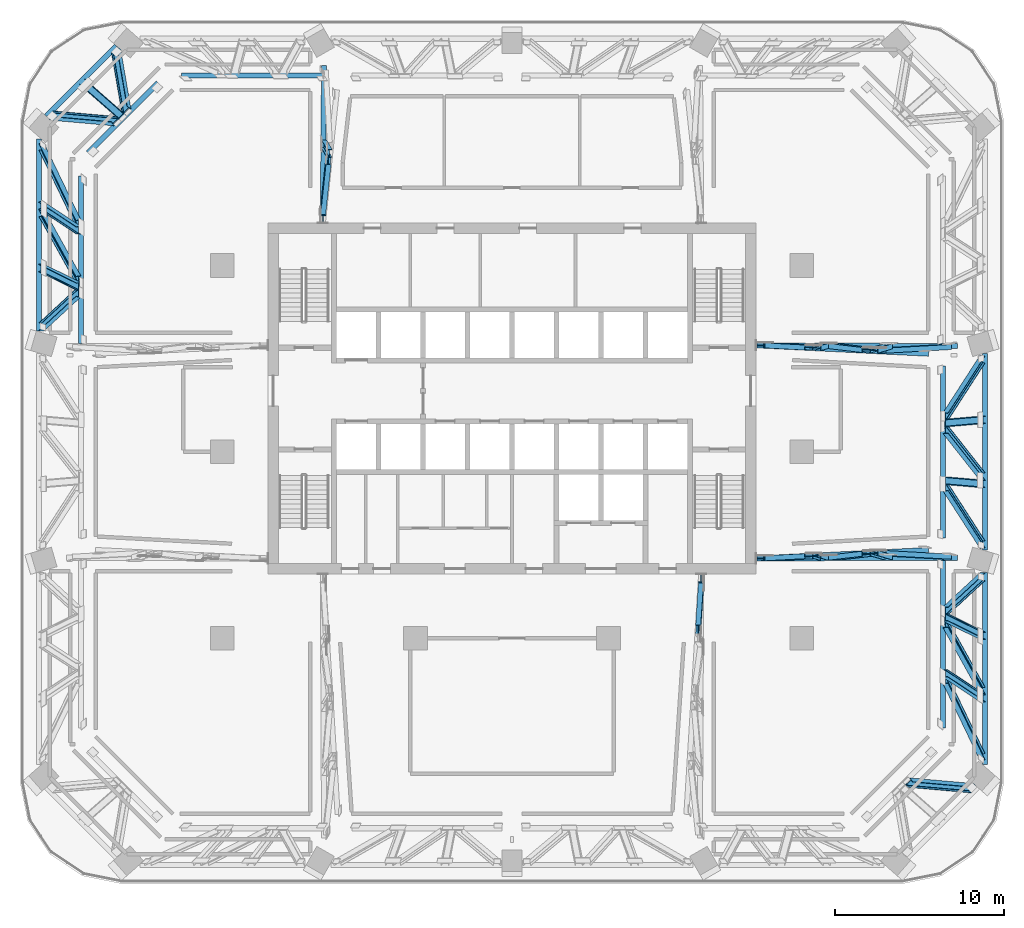
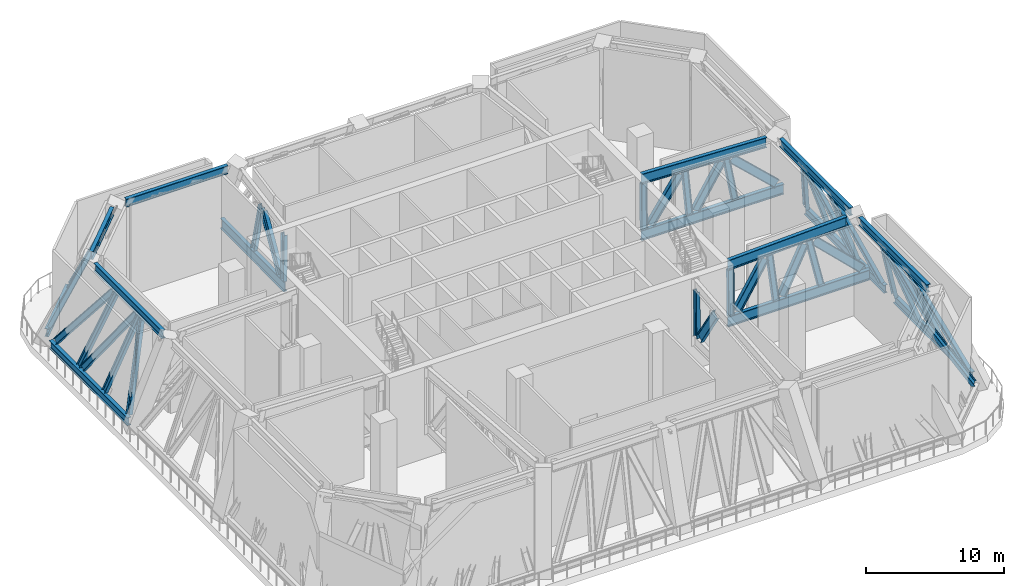
# One storey, part 3 of 24: 50 members.
"""IFC4 building model written with IfcOpenShell, lengths in metres."""

from ifc_helpers import new_model, si_unit, direction, frame, origin, origin_2d, place, context, subcontext, project, spatial, i_section, extrude, material, material_profile, profile_set, type_object, element, save


model = new_model("IFC4")

# Units and contexts
model_context = context("Model", 3, precision=1e-05, world=origin(), true_north=direction((0.0, 1.0)))
body_context = subcontext(model_context, "Body", "Model", "MODEL_VIEW")
ifc_project = project(units=[si_unit("LENGTHUNIT", "METRE"), si_unit("AREAUNIT", "SQUARE_METRE"), si_unit("VOLUMEUNIT", "CUBIC_METRE"), si_unit("PLANEANGLEUNIT", "RADIAN"), si_unit("MASSUNIT", "GRAM", prefix="KILO")], contexts=[model_context])

# Site, building, storey
site_placement = place(None, origin())
site = spatial("IfcSite", under=ifc_project, at=site_placement, CompositionType="ELEMENT")
building_placement = place(site_placement, origin())
building = spatial("IfcBuilding", under=site, at=building_placement, Name="Mopane Tessera Tower", CompositionType="ELEMENT")
storey_placement = place(building_placement, frame((0.0, 0.0, 148.60009765625)))
storey = spatial("IfcBuildingStorey", under=building, at=storey_placement, Name="L30", CompositionType="ELEMENT", Elevation=148.60009765625)

# Members
ifc_material_1 = material(Name="Structural steel S460", Category="steel")
ifc_material_profile_1 = material_profile(ifc_material_1, i_section(OverallWidth=0.303955078125, OverallDepth=0.716064453125, WebThickness=0.02099609375, FlangeThickness=0.0400390625, FilletRadius=0.027099609375, at=origin_2d()))
ifc_profile_set_1 = profile_set([ifc_material_profile_1], Name="Structural steel S460")
member_type_1 = type_object("IfcMemberType", Name="Belt truss chord HE 700 M", PredefinedType="CHORD", material=ifc_profile_set_1)
member_1_placement = place(storey_placement, frame((27.928466796875, -18.462646484375, 0.35791015625), z_axis=(0.0, 1.0, 0.0), x_axis=(-1.0, 0.0, 0.0)))
element("IfcMember", 1, at=member_1_placement, inside=storey, type_object=member_type_1, Name="Belt truss bottom chord L30 E0-E1", PredefinedType="CHORD", context=body_context, shape_type="SweptSolid", body=[
    extrude(i_section(OverallWidth=0.303955078125, OverallDepth=0.716064453125, WebThickness=0.02099609375, FlangeThickness=0.0400390625, FilletRadius=0.027099609375, at=origin_2d()), origin(), (0.0, 0.0, 1.0), 11.3291015625),
])
member_2_placement = place(storey_placement, frame((25.45703125, -16.294921875, 7.641845703125), z_axis=(0.0, 1.0, 0.0), x_axis=(-1.0, 0.0, 0.0)))
element("IfcMember", 2, at=member_2_placement, inside=storey, type_object=member_type_1, Name="Belt truss top chord L30 E0-E1", PredefinedType="CHORD", context=body_context, shape_type="SweptSolid", body=[
    extrude(i_section(OverallWidth=0.303955078125, OverallDepth=0.716064453125, WebThickness=0.02099609375, FlangeThickness=0.0400390625, FilletRadius=0.027099609375, at=origin_2d()), origin(), (0.0, 0.0, 1.0), 9.884033203125),
])
member_3_placement = place(storey_placement, frame((27.928466796875, -5.79541015625, 0.35791015625), z_axis=(0.0, 1.0, 0.0), x_axis=(-1.0, 0.0, 0.0)))
element("IfcMember", 3, at=member_3_placement, inside=storey, type_object=member_type_1, Name="Belt truss bottom chord L30 E1-E2", PredefinedType="CHORD", context=body_context, shape_type="SweptSolid", body=[
    extrude(i_section(OverallWidth=0.303955078125, OverallDepth=0.716064453125, WebThickness=0.02099609375, FlangeThickness=0.0400390625, FilletRadius=0.027099609375, at=origin_2d()), origin(), (0.0, 0.0, 1.0), 11.5908203125),
])
member_4_placement = place(storey_placement, frame((25.45703125, -5.072998046875, 7.641845703125), z_axis=(0.0, 1.0, 0.0), x_axis=(-1.0, 0.0, 0.0)))
element("IfcMember", 4, at=member_4_placement, inside=storey, type_object=member_type_1, Name="Belt truss top chord L30 E1-E2", PredefinedType="CHORD", context=body_context, shape_type="SweptSolid", body=[
    extrude(i_section(OverallWidth=0.303955078125, OverallDepth=0.716064453125, WebThickness=0.02099609375, FlangeThickness=0.0400390625, FilletRadius=0.027099609375, at=origin_2d()), origin(), (0.0, 0.0, 1.0), 10.14599609375),
])
member_5_placement = place(storey_placement, frame((-11.00537109375, 22.2255859375, 7.641845703125), z_axis=(-1.0, 0.0, 0.0), x_axis=(0.0, -1.0, 0.0)))
element("IfcMember", 5, at=member_5_placement, inside=storey, type_object=member_type_1, Name="Belt truss top chord L30 N3-N4", PredefinedType="CHORD", context=body_context, shape_type="SweptSolid", body=[
    extrude(i_section(OverallWidth=0.303955078125, OverallDepth=0.716064453125, WebThickness=0.02099609375, FlangeThickness=0.0400390625, FilletRadius=0.027099609375, at=origin_2d()), origin(), (0.0, 0.0, 1.0), 8.495361328125),
])
member_6_placement = place(storey_placement, frame((-23.3603515625, 23.961669921875, 0.35791015625), z_axis=(-0.707106781187, -0.707106781187, 0.0), x_axis=(0.707106781187, -0.707106781187, 0.0)))
element("IfcMember", 6, at=member_6_placement, inside=storey, type_object=member_type_1, Name="Belt truss bottom chord L30 N4-W0", PredefinedType="CHORD", context=body_context, shape_type="SweptSolid", body=[
    extrude(i_section(OverallWidth=0.303955078125, OverallDepth=0.716064453125, WebThickness=0.02099609375, FlangeThickness=0.0400390625, FilletRadius=0.027099609375, at=origin_2d()), origin(), (0.0, 0.0, 1.0), 5.849853515625),
])
member_7_placement = place(storey_placement, frame((-20.888916015625, 21.793701171875, 7.641845703125), z_axis=(-0.707127648719, -0.707085913038, 0.0), x_axis=(0.707085913038, -0.707127648719, 0.0)))
element("IfcMember", 7, at=member_7_placement, inside=storey, type_object=member_type_1, Name="Belt truss top chord L30 N4-W0", PredefinedType="CHORD", context=body_context, shape_type="SweptSolid", body=[
    extrude(i_section(OverallWidth=0.303955078125, OverallDepth=0.716064453125, WebThickness=0.02099609375, FlangeThickness=0.0400390625, FilletRadius=0.027099609375, at=origin_2d()), origin(), (0.0, 0.0, 1.0), 5.849609375),
])
member_8_placement = place(storey_placement, frame((-27.928466796875, 18.462646484375, 0.35791015625), z_axis=(0.0, -1.0, 0.0), x_axis=(1.0, 0.0, 0.0)))
element("IfcMember", 8, at=member_8_placement, inside=storey, type_object=member_type_1, Name="Belt truss bottom chord L30 W0-W1", PredefinedType="CHORD", context=body_context, shape_type="SweptSolid", body=[
    extrude(i_section(OverallWidth=0.303955078125, OverallDepth=0.716064453125, WebThickness=0.02099609375, FlangeThickness=0.0400390625, FilletRadius=0.027099609375, at=origin_2d()), origin(), (0.0, 0.0, 1.0), 11.3291015625),
])
member_9_placement = place(storey_placement, frame((-25.45703125, 16.294921875, 7.641845703125), z_axis=(0.0, -1.0, 0.0), x_axis=(1.0, 0.0, 0.0)))
element("IfcMember", 9, at=member_9_placement, inside=storey, type_object=member_type_1, Name="Belt truss top chord L30 W0-W1", PredefinedType="CHORD", context=body_context, shape_type="SweptSolid", body=[
    extrude(i_section(OverallWidth=0.303955078125, OverallDepth=0.716064453125, WebThickness=0.02099609375, FlangeThickness=0.0400390625, FilletRadius=0.027099609375, at=origin_2d()), origin(), (0.0, 0.0, 1.0), 9.884033203125),
])
ifc_material_2 = material(Name="Structural steel S460", Category="steel")
ifc_material_profile_2 = material_profile(ifc_material_2, i_section(OverallWidth=0.300048828125, OverallDepth=0.5, WebThickness=0.014404296875, FlangeThickness=0.028076171875, FilletRadius=0.027099609375, at=origin_2d()))
ifc_profile_set_2 = profile_set([ifc_material_profile_2], Name="Structural steel S460")
member_type_2 = type_object("IfcMemberType", Name="Belt truss diagonal HE 500 B", PredefinedType="BRACE", material=ifc_profile_set_2)
member_10_placement = place(storey_placement, frame((23.41015625, -19.5283203125, 7.239990234375), z_axis=(0.504595818255, -0.044567108449, -0.862204635248), x_axis=(-0.554692988801, 0.748541479717, -0.363319888415)))
element("IfcMember", 10, at=member_10_placement, inside=storey, type_object=member_type_2, Name="Belt truss diagonal 1 L30 S4-E0", PredefinedType="BRACE", context=body_context, shape_type="SweptSolid", body=[
    extrude(i_section(OverallWidth=0.300048828125, OverallDepth=0.5, WebThickness=0.014404296875, FlangeThickness=0.028076171875, FilletRadius=0.027099609375, at=origin_2d()), origin(), (0.0, 0.0, 1.0), 7.515869140625),
])
member_11_placement = place(storey_placement, frame((27.782958984375, -18.017822265625, 0.787109375), z_axis=(-0.267157591425, 0.5555262391, 0.787411848409), x_axis=(-0.963652852959, -0.153995532867, -0.218308393888)))
element("IfcMember", 11, at=member_11_placement, inside=storey, type_object=member_type_2, Name="Belt truss diagonal 0 L30 E0-E1", PredefinedType="BRACE", context=body_context, shape_type="SweptSolid", body=[
    extrude(i_section(OverallWidth=0.300048828125, OverallDepth=0.5, WebThickness=0.014404296875, FlangeThickness=0.028076171875, FilletRadius=0.027099609375, at=origin_2d()), origin(), (0.0, 0.0, 1.0), 8.16064453125),
])
member_12_placement = place(storey_placement, frame((27.78564453125, -14.106689453125, 0.779541015625), z_axis=(-0.278075568862, 0.501138645269, 0.819471803188), x_axis=(-0.960559200093, -0.145106043927, -0.237213530669)))
element("IfcMember", 12, at=member_12_placement, inside=storey, type_object=member_type_2, Name="Belt truss diagonal 1 L30 E0-E1", PredefinedType="BRACE", context=body_context, shape_type="SweptSolid", body=[
    extrude(i_section(OverallWidth=0.300048828125, OverallDepth=0.5, WebThickness=0.014404296875, FlangeThickness=0.028076171875, FilletRadius=0.027099609375, at=origin_2d()), origin(), (0.0, 0.0, 1.0), 7.859619140625),
])
member_13_placement = place(storey_placement, frame((25.602783203125, -9.3896484375, 7.212890625), z_axis=(0.308034642932, 0.284337016987, -0.907891579168), x_axis=(-0.951375140784, 0.092078103531, -0.293950615494)))
element("IfcMember", 13, at=member_13_placement, inside=storey, type_object=member_type_2, Name="Belt truss diagonal 2 L30 E0-E1", PredefinedType="BRACE", context=body_context, shape_type="SweptSolid", body=[
    extrude(i_section(OverallWidth=0.300048828125, OverallDepth=0.5, WebThickness=0.014404296875, FlangeThickness=0.028076171875, FilletRadius=0.027099609375, at=origin_2d()), origin(), (0.0, 0.0, 1.0), 7.07763671875),
])
member_14_placement = place(storey_placement, frame((27.781982421875, -5.46826171875, 0.790283203125), z_axis=(-0.287590786418, 0.44608483448, 0.847525728231), x_axis=(-0.957753381236, -0.133964759897, -0.254483602296)))
element("IfcMember", 14, at=member_14_placement, inside=storey, type_object=member_type_2, Name="Belt truss diagonal 0 L30 E1-E2", PredefinedType="BRACE", context=body_context, shape_type="SweptSolid", body=[
    extrude(i_section(OverallWidth=0.300048828125, OverallDepth=0.5, WebThickness=0.014404296875, FlangeThickness=0.028076171875, FilletRadius=0.027099609375, at=origin_2d()), origin(), (0.0, 0.0, 1.0), 7.573974609375),
])
member_15_placement = place(storey_placement, frame((27.784423828125, -1.458251953125, 0.78271484375), z_axis=(-0.29749931485, 0.377713008443, 0.876827828548), x_axis=(-0.954722031565, -0.117708529243, -0.27322251845)))
element("IfcMember", 15, at=member_15_placement, inside=storey, type_object=member_type_2, Name="Belt truss diagonal 1 L30 E1-E2", PredefinedType="BRACE", context=body_context, shape_type="SweptSolid", body=[
    extrude(i_section(OverallWidth=0.300048828125, OverallDepth=0.5, WebThickness=0.014404296875, FlangeThickness=0.028076171875, FilletRadius=0.027099609375, at=origin_2d()), origin(), (0.0, 0.0, 1.0), 7.338134765625),
])
member_16_placement = place(storey_placement, frame((25.603759765625, 2.089599609375, 7.20947265625), z_axis=(0.287590786418, 0.44608483448, -0.847525728231), x_axis=(-0.957753381236, 0.133964759897, -0.254483602296)))
element("IfcMember", 16, at=member_16_placement, inside=storey, type_object=member_type_2, Name="Belt truss diagonal 2 L30 E1-E2", PredefinedType="BRACE", context=body_context, shape_type="SweptSolid", body=[
    extrude(i_section(OverallWidth=0.300048828125, OverallDepth=0.5, WebThickness=0.014404296875, FlangeThickness=0.028076171875, FilletRadius=0.027099609375, at=origin_2d()), origin(), (0.0, 0.0, 1.0), 7.573974609375),
])
member_17_placement = place(storey_placement, frame((-23.3818359375, 23.684326171875, 0.759765625), z_axis=(0.081781629419, -0.475976340966, 0.875647353636), x_axis=(0.734409592741, -0.565169586582, -0.375800330619)))
element("IfcMember", 17, at=member_17_placement, inside=storey, type_object=member_type_2, Name="Belt truss diagonal 0 L30 N4-W0", PredefinedType="BRACE", context=body_context, shape_type="SweptSolid", body=[
    extrude(i_section(OverallWidth=0.300048828125, OverallDepth=0.5, WebThickness=0.014404296875, FlangeThickness=0.028076171875, FilletRadius=0.027099609375, at=origin_2d()), origin(), (0.0, 0.0, 1.0), 7.400390625),
])
member_18_placement = place(storey_placement, frame((-23.41015625, 19.5283203125, 7.239990234375), z_axis=(-0.504595818255, 0.044567108449, -0.862204635248), x_axis=(0.554692988801, -0.748541479717, -0.363319888415)))
element("IfcMember", 18, at=member_18_placement, inside=storey, type_object=member_type_2, Name="Belt truss diagonal 1 L30 N4-W0", PredefinedType="BRACE", context=body_context, shape_type="SweptSolid", body=[
    extrude(i_section(OverallWidth=0.300048828125, OverallDepth=0.5, WebThickness=0.014404296875, FlangeThickness=0.028076171875, FilletRadius=0.027099609375, at=origin_2d()), origin(), (0.0, 0.0, 1.0), 7.515869140625),
])
member_19_placement = place(storey_placement, frame((-27.782958984375, 18.017822265625, 0.787109375), z_axis=(0.267157591425, -0.5555262391, 0.787411848409), x_axis=(0.963652852959, 0.153995532867, -0.218308393888)))
element("IfcMember", 19, at=member_19_placement, inside=storey, type_object=member_type_2, Name="Belt truss diagonal 0 L30 W0-W1", PredefinedType="BRACE", context=body_context, shape_type="SweptSolid", body=[
    extrude(i_section(OverallWidth=0.300048828125, OverallDepth=0.5, WebThickness=0.014404296875, FlangeThickness=0.028076171875, FilletRadius=0.027099609375, at=origin_2d()), origin(), (0.0, 0.0, 1.0), 8.16064453125),
])
member_20_placement = place(storey_placement, frame((-27.78564453125, 14.106689453125, 0.779541015625), z_axis=(0.278075568862, -0.501138645269, 0.819471803188), x_axis=(0.960559200093, 0.145106043927, -0.237213530669)))
element("IfcMember", 20, at=member_20_placement, inside=storey, type_object=member_type_2, Name="Belt truss diagonal 1 L30 W0-W1", PredefinedType="BRACE", context=body_context, shape_type="SweptSolid", body=[
    extrude(i_section(OverallWidth=0.300048828125, OverallDepth=0.5, WebThickness=0.014404296875, FlangeThickness=0.028076171875, FilletRadius=0.027099609375, at=origin_2d()), origin(), (0.0, 0.0, 1.0), 7.859619140625),
])
member_21_placement = place(storey_placement, frame((-25.602783203125, 9.3896484375, 7.212890625), z_axis=(-0.308034642932, -0.284337016987, -0.907891579168), x_axis=(0.951375140784, -0.092078103531, -0.293950615494)))
element("IfcMember", 21, at=member_21_placement, inside=storey, type_object=member_type_2, Name="Belt truss diagonal 2 L30 W0-W1", PredefinedType="BRACE", context=body_context, shape_type="SweptSolid", body=[
    extrude(i_section(OverallWidth=0.300048828125, OverallDepth=0.5, WebThickness=0.014404296875, FlangeThickness=0.028076171875, FilletRadius=0.027099609375, at=origin_2d()), origin(), (0.0, 0.0, 1.0), 7.07763671875),
])
ifc_material_3 = material(Name="Structural steel S460", Category="steel")
ifc_material_profile_3 = material_profile(ifc_material_3, i_section(OverallWidth=0.300048828125, OverallDepth=0.449951171875, WebThickness=0.013916015625, FlangeThickness=0.02587890625, FilletRadius=0.027099609375, at=origin_2d()))
ifc_profile_set_3 = profile_set([ifc_material_profile_3], Name="Structural steel S460")
member_type_3 = type_object("IfcMemberType", Name="Belt truss post HE 450 B", PredefinedType="POST", material=ifc_profile_set_3)
member_22_placement = place(storey_placement, frame((27.80712890625, -14.555908203125, 0.7158203125), z_axis=(-0.314271402728, 0.208056757963, 0.926253675239), x_axis=(-0.949333178878, -0.068845032913, -0.306638022633)))
element("IfcMember", 22, at=member_22_placement, inside=storey, type_object=member_type_3, Name="Belt truss post 1 L30 E0-E1", PredefinedType="POST", context=body_context, shape_type="SweptSolid", body=[
    extrude(i_section(OverallWidth=0.300048828125, OverallDepth=0.449951171875, WebThickness=0.013916015625, FlangeThickness=0.02587890625, FilletRadius=0.027099609375, at=origin_2d()), origin(), (0.0, 0.0, 1.0), 7.091064453125),
])
member_23_placement = place(storey_placement, frame((27.80712890625, -10.866943359375, 0.7158203125), z_axis=(-0.317327080208, 0.156821040624, 0.935259688741), x_axis=(-0.948316151939, -0.052487909456, -0.312956059746)))
element("IfcMember", 23, at=member_23_placement, inside=storey, type_object=member_type_3, Name="Belt truss post 2 L30 E0-E1", PredefinedType="POST", context=body_context, shape_type="SweptSolid", body=[
    extrude(i_section(OverallWidth=0.300048828125, OverallDepth=0.449951171875, WebThickness=0.013916015625, FlangeThickness=0.02587890625, FilletRadius=0.027099609375, at=origin_2d()), origin(), (0.0, 0.0, 1.0), 7.022705078125),
])
for number, where, z_axis, x_axis, name in (
    (24, (27.80712890625, -1.893310546875, 0.7158203125), (-0.321179643724, 0.027656354072, 0.94661436844), (-0.94701828723, -0.009368614259, -0.321042976435), "Belt truss post 1 L30 E1-E2"),
    (25, (27.80712890625, 1.893310546875, 0.7158203125), (-0.321179643724, -0.027656354072, 0.94661436844), (-0.94701828723, 0.009368614259, -0.321042976435), "Belt truss post 2 L30 E1-E2"),
):
    element("IfcMember", number, at=place(storey_placement, frame(where, z_axis=z_axis, x_axis=x_axis)), inside=storey, type_object=member_type_3, Name=name, PredefinedType="POST", context=body_context, shape_type="SweptSolid", body=[
        extrude(i_section(OverallWidth=0.300048828125, OverallDepth=0.449951171875, WebThickness=0.013916015625, FlangeThickness=0.02587890625, FilletRadius=0.027099609375, at=origin_2d()), origin(), (0.0, 0.0, 1.0), 6.9384765625),
    ])
member_24_placement = place(storey_placement, frame((-25.30712890625, 21.786865234375, 0.7158203125), z_axis=(0.309254295345, -0.27127510329, 0.911466729588), x_axis=(0.636223022636, -0.653344973559, -0.410317695198)))
element("IfcMember", 26, at=member_24_placement, inside=storey, type_object=member_type_3, Name="Belt truss post 1 L30 N4-W0", PredefinedType="POST", context=body_context, shape_type="SweptSolid", body=[
    extrude(i_section(OverallWidth=0.300048828125, OverallDepth=0.449951171875, WebThickness=0.013916015625, FlangeThickness=0.02587890625, FilletRadius=0.027099609375, at=origin_2d()), origin(), (0.0, 0.0, 1.0), 7.2060546875),
])
member_25_placement = place(storey_placement, frame((-27.80712890625, 14.555908203125, 0.7158203125), z_axis=(0.314271402728, -0.208056757963, 0.926253675239), x_axis=(0.949333178878, 0.068845032913, -0.306638022633)))
element("IfcMember", 27, at=member_25_placement, inside=storey, type_object=member_type_3, Name="Belt truss post 1 L30 W0-W1", PredefinedType="POST", context=body_context, shape_type="SweptSolid", body=[
    extrude(i_section(OverallWidth=0.300048828125, OverallDepth=0.449951171875, WebThickness=0.013916015625, FlangeThickness=0.02587890625, FilletRadius=0.027099609375, at=origin_2d()), origin(), (0.0, 0.0, 1.0), 7.091064453125),
])
member_26_placement = place(storey_placement, frame((-27.80712890625, 10.866943359375, 0.7158203125), z_axis=(0.317327080208, -0.156821040624, 0.935259688741), x_axis=(0.948316151939, 0.052487909456, -0.312956059746)))
element("IfcMember", 28, at=member_26_placement, inside=storey, type_object=member_type_3, Name="Belt truss post 2 L30 W0-W1", PredefinedType="POST", context=body_context, shape_type="SweptSolid", body=[
    extrude(i_section(OverallWidth=0.300048828125, OverallDepth=0.449951171875, WebThickness=0.013916015625, FlangeThickness=0.02587890625, FilletRadius=0.027099609375, at=origin_2d()), origin(), (0.0, 0.0, 1.0), 7.022705078125),
])
ifc_material_4 = material(Name="Structural steel S460", Category="steel")
ifc_material_profile_4 = material_profile(ifc_material_4, i_section(OverallWidth=0.302001953125, OverallDepth=0.909912109375, WebThickness=0.02099609375, FlangeThickness=0.0400390625, FilletRadius=0.030029296875, at=origin_2d()))
ifc_profile_set_4 = profile_set([ifc_material_profile_4], Name="Structural steel S460")
member_type_4 = type_object("IfcMemberType", Name="Outrigger truss chord HE 900 M", PredefinedType="CHORD", material=ifc_profile_set_4)
member_27_placement = place(storey_placement, frame((14.4150390625, -6.291748046875, 2.554931640625), z_axis=(0.999993766228, 0.003530935453, 0.0), x_axis=(-0.003530935453, 0.999993766228, 0.0)))
element("IfcMember", 29, at=member_27_placement, inside=storey, type_object=member_type_4, Name="Outrigger truss bottom chord L30 E1", PredefinedType="CHORD", context=body_context, shape_type="SweptSolid", body=[
    extrude(i_section(OverallWidth=0.302001953125, OverallDepth=0.909912109375, WebThickness=0.02099609375, FlangeThickness=0.0400390625, FilletRadius=0.030029296875, at=origin_2d()), origin(), (0.0, 0.0, 1.0), 11.892578125),
])
member_28_placement = place(storey_placement, frame((14.4150390625, -6.291015625, 7.544921875), z_axis=(0.998815332345, 0.048661400241, 0.0), x_axis=(-0.048661400241, 0.998815332345, 0.0)))
element("IfcMember", 30, at=member_28_placement, inside=storey, type_object=member_type_4, Name="Outrigger truss top chord L30 E1", PredefinedType="CHORD", context=body_context, shape_type="SweptSolid", body=[
    extrude(i_section(OverallWidth=0.302001953125, OverallDepth=0.909912109375, WebThickness=0.02099609375, FlangeThickness=0.0400390625, FilletRadius=0.030029296875, at=origin_2d()), origin(), (0.0, 0.0, 1.0), 10.19970703125),
])
member_29_placement = place(storey_placement, frame((14.4150390625, 6.291748046875, 2.554931640625), z_axis=(0.999993766228, -0.003530935453, 0.0), x_axis=(0.003530935453, 0.999993766228, 0.0)))
element("IfcMember", 31, at=member_29_placement, inside=storey, type_object=member_type_4, Name="Outrigger truss bottom chord L30 E2", PredefinedType="CHORD", context=body_context, shape_type="SweptSolid", body=[
    extrude(i_section(OverallWidth=0.302001953125, OverallDepth=0.909912109375, WebThickness=0.02099609375, FlangeThickness=0.0400390625, FilletRadius=0.030029296875, at=origin_2d()), origin(), (0.0, 0.0, 1.0), 11.892578125),
])
member_30_placement = place(storey_placement, frame((14.4150390625, 6.291015625, 7.544921875), z_axis=(0.998815332345, -0.048661400241, 0.0), x_axis=(0.048661400241, 0.998815332345, 0.0)))
element("IfcMember", 32, at=member_30_placement, inside=storey, type_object=member_type_4, Name="Outrigger truss top chord L30 E2", PredefinedType="CHORD", context=body_context, shape_type="SweptSolid", body=[
    extrude(i_section(OverallWidth=0.302001953125, OverallDepth=0.909912109375, WebThickness=0.02099609375, FlangeThickness=0.0400390625, FilletRadius=0.030029296875, at=origin_2d()), origin(), (0.0, 0.0, 1.0), 10.19970703125),
])
member_31_placement = place(storey_placement, frame((-11.168701171875, 13.515625, 2.554931640625), z_axis=(0.007542690632, 0.999971553504, 0.0), x_axis=(-0.999971553504, 0.007542690632, 0.0)))
element("IfcMember", 33, at=member_31_placement, inside=storey, type_object=member_type_4, Name="Outrigger truss bottom chord L30 N3", PredefinedType="CHORD", context=body_context, shape_type="SweptSolid", body=[
    extrude(i_section(OverallWidth=0.302001953125, OverallDepth=0.909912109375, WebThickness=0.02099609375, FlangeThickness=0.0400390625, FilletRadius=0.030029296875, at=origin_2d()), origin(), (0.0, 0.0, 1.0), 9.28955078125),
])
ifc_material_5 = material(Name="Structural steel S460", Category="steel")
ifc_material_profile_5 = material_profile(ifc_material_5, i_section(OverallWidth=0.300048828125, OverallDepth=0.699951171875, WebThickness=0.01708984375, FlangeThickness=0.031982421875, FilletRadius=0.027099609375, at=origin_2d()))
ifc_profile_set_5 = profile_set([ifc_material_profile_5], Name="Structural steel S460")
member_type_5 = type_object("IfcMemberType", Name="Outrigger truss diagonal HE 700 B", PredefinedType="BRACE", material=ifc_profile_set_5)
member_32_placement = place(storey_placement, frame((15.158935546875, -6.28515625, 3.18896484375), z_axis=(0.544753373514, 0.028752246881, 0.838103257567), x_axis=(-0.018165905046, 0.999582137301, -0.022484454228)))
element("IfcMember", 34, at=member_32_placement, inside=storey, type_object=member_type_5, Name="Outrigger truss diagonal 0 L30 E1", PredefinedType="BRACE", context=body_context, shape_type="SweptSolid", body=[
    extrude(i_section(OverallWidth=0.300048828125, OverallDepth=0.699951171875, WebThickness=0.01708984375, FlangeThickness=0.031982421875, FilletRadius=0.027099609375, at=origin_2d()), origin(), (0.0, 0.0, 1.0), 4.44091796875),
])
member_33_placement = place(storey_placement, frame((18.925537109375, -6.252685546875, 3.18896484375), z_axis=(0.480025508744, 0.056047959868, 0.87546224199), x_axis=(-0.029661193457, 0.998423293192, -0.047656491836)))
element("IfcMember", 35, at=member_33_placement, inside=storey, type_object=member_type_5, Name="Outrigger truss diagonal 1 L30 E1", PredefinedType="BRACE", context=body_context, shape_type="SweptSolid", body=[
    extrude(i_section(OverallWidth=0.300048828125, OverallDepth=0.699951171875, WebThickness=0.01708984375, FlangeThickness=0.031982421875, FilletRadius=0.027099609375, at=origin_2d()), origin(), (0.0, 0.0, 1.0), 4.25146484375),
])
member_34_placement = place(storey_placement, frame((21.851318359375, -5.978271484375, 6.896240234375), z_axis=(0.722745570787, -0.040142394742, -0.689947409628), x_axis=(0.027357630892, 0.999191017394, -0.029476614311)))
element("IfcMember", 36, at=member_34_placement, inside=storey, type_object=member_type_5, Name="Outrigger truss diagonal 2 L30 E1", PredefinedType="BRACE", context=body_context, shape_type="SweptSolid", body=[
    extrude(i_section(OverallWidth=0.300048828125, OverallDepth=0.699951171875, WebThickness=0.01708984375, FlangeThickness=0.031982421875, FilletRadius=0.027099609375, at=origin_2d()), origin(), (0.0, 0.0, 1.0), 5.35205078125),
])
member_35_placement = place(storey_placement, frame((15.158935546875, 6.28515625, 3.18896484375), z_axis=(0.544753373514, -0.028752246881, 0.838103257567), x_axis=(0.018165905046, 0.999582137301, 0.022484454228)))
element("IfcMember", 37, at=member_35_placement, inside=storey, type_object=member_type_5, Name="Outrigger truss diagonal 0 L30 E2", PredefinedType="BRACE", context=body_context, shape_type="SweptSolid", body=[
    extrude(i_section(OverallWidth=0.300048828125, OverallDepth=0.699951171875, WebThickness=0.01708984375, FlangeThickness=0.031982421875, FilletRadius=0.027099609375, at=origin_2d()), origin(), (0.0, 0.0, 1.0), 4.44091796875),
])
member_36_placement = place(storey_placement, frame((18.925537109375, 6.252685546875, 3.18896484375), z_axis=(0.480025508744, -0.056047959868, 0.87546224199), x_axis=(0.029661193457, 0.998423293192, 0.047656491836)))
element("IfcMember", 38, at=member_36_placement, inside=storey, type_object=member_type_5, Name="Outrigger truss diagonal 1 L30 E2", PredefinedType="BRACE", context=body_context, shape_type="SweptSolid", body=[
    extrude(i_section(OverallWidth=0.300048828125, OverallDepth=0.699951171875, WebThickness=0.01708984375, FlangeThickness=0.031982421875, FilletRadius=0.027099609375, at=origin_2d()), origin(), (0.0, 0.0, 1.0), 4.25146484375),
])
member_37_placement = place(storey_placement, frame((21.851318359375, 5.978271484375, 6.896240234375), z_axis=(0.722745570787, 0.040142394742, -0.689947409628), x_axis=(-0.027357630892, 0.999191017394, 0.029476614311)))
element("IfcMember", 39, at=member_37_placement, inside=storey, type_object=member_type_5, Name="Outrigger truss diagonal 2 L30 E2", PredefinedType="BRACE", context=body_context, shape_type="SweptSolid", body=[
    extrude(i_section(OverallWidth=0.300048828125, OverallDepth=0.699951171875, WebThickness=0.01708984375, FlangeThickness=0.031982421875, FilletRadius=0.027099609375, at=origin_2d()), origin(), (0.0, 0.0, 1.0), 5.35205078125),
])
member_38_placement = place(storey_placement, frame((-11.15478515625, 14.227783203125, 3.223876953125), z_axis=(0.068290950981, 0.633880109105, 0.770410509595), x_axis=(-0.997648769472, 0.047853995424, 0.04906045141)))
element("IfcMember", 40, at=member_38_placement, inside=storey, type_object=member_type_5, Name="Outrigger truss diagonal 0 L30 N3", PredefinedType="BRACE", context=body_context, shape_type="SweptSolid", body=[
    extrude(i_section(OverallWidth=0.300048828125, OverallDepth=0.699951171875, WebThickness=0.01708984375, FlangeThickness=0.031982421875, FilletRadius=0.027099609375, at=origin_2d()), origin(), (0.0, 0.0, 1.0), 4.740478515625),
])
member_39_placement = place(storey_placement, frame((11.16015625, -7.96240234375, 3.189208984375), z_axis=(-0.037416267594, -0.565082966214, 0.824185212324), x_axis=(0.999292168516, -0.024374117743, 0.028654220041)))
element("IfcMember", 41, at=member_39_placement, inside=storey, type_object=member_type_5, Name="Outrigger truss diagonal 0 L30 S3", PredefinedType="BRACE", context=body_context, shape_type="SweptSolid", body=[
    extrude(i_section(OverallWidth=0.300048828125, OverallDepth=0.699951171875, WebThickness=0.01708984375, FlangeThickness=0.031982421875, FilletRadius=0.027099609375, at=origin_2d()), origin(), (0.0, 0.0, 1.0), 4.515380859375),
])
ifc_material_6 = material(Name="Structural steel S460", Category="steel")
ifc_material_profile_6 = material_profile(ifc_material_6, i_section(OverallWidth=0.300048828125, OverallDepth=0.5, WebThickness=0.014404296875, FlangeThickness=0.028076171875, FilletRadius=0.027099609375, at=origin_2d()))
ifc_profile_set_6 = profile_set([ifc_material_profile_6], Name="Structural steel S460")
member_type_6 = type_object("IfcMemberType", Name="Outrigger truss post HE 500 B", PredefinedType="POST", material=ifc_profile_set_6)
member_40_placement = place(storey_placement, frame((14.6640625, -6.289794921875, 3.010009765625), z_axis=(-0.007061025644, 0.002094372013, 0.999972877394), x_axis=(0.000395915655, 0.999997734168, -0.002091628427)))
element("IfcMember", 42, at=member_40_placement, inside=storey, type_object=member_type_6, Name="Outrigger truss post 0 L30 E1", PredefinedType="POST", context=body_context, shape_type="SweptSolid", body=[
    extrude(i_section(OverallWidth=0.300048828125, OverallDepth=0.5, WebThickness=0.014404296875, FlangeThickness=0.028076171875, FilletRadius=0.027099609375, at=origin_2d()), origin(), (0.0, 0.0, 1.0), 4.079833984375),
])
member_41_placement = place(storey_placement, frame((18.44873046875, -6.2626953125, 3.010009765625), z_axis=(-0.108098564915, 0.031573343218, 0.993638678928), x_axis=(-0.000331570506, 0.999494340865, -0.03179548143)))
element("IfcMember", 43, at=member_41_placement, inside=storey, type_object=member_type_6, Name="Outrigger truss post 1 L30 E1", PredefinedType="POST", context=body_context, shape_type="SweptSolid", body=[
    extrude(i_section(OverallWidth=0.300048828125, OverallDepth=0.5, WebThickness=0.014404296875, FlangeThickness=0.028076171875, FilletRadius=0.027099609375, at=origin_2d()), origin(), (0.0, 0.0, 1.0), 4.10595703125),
])
member_42_placement = place(storey_placement, frame((22.233642578125, -6.235595703125, 3.010009765625), z_axis=(-0.205632344037, 0.060088132368, 0.97678285992), x_axis=(0.008858025403, 0.998186616401, -0.059540022039)))
element("IfcMember", 44, at=member_42_placement, inside=storey, type_object=member_type_6, Name="Outrigger truss post 2 L30 E1", PredefinedType="POST", context=body_context, shape_type="SweptSolid", body=[
    extrude(i_section(OverallWidth=0.300048828125, OverallDepth=0.5, WebThickness=0.014404296875, FlangeThickness=0.028076171875, FilletRadius=0.027099609375, at=origin_2d()), origin(), (0.0, 0.0, 1.0), 4.1767578125),
])
member_43_placement = place(storey_placement, frame((14.6640625, 6.289794921875, 3.010009765625), z_axis=(-0.007061025644, -0.002094372013, 0.999972877394), x_axis=(-0.000395915655, 0.999997734168, 0.002091628427)))
element("IfcMember", 45, at=member_43_placement, inside=storey, type_object=member_type_6, Name="Outrigger truss post 0 L30 E2", PredefinedType="POST", context=body_context, shape_type="SweptSolid", body=[
    extrude(i_section(OverallWidth=0.300048828125, OverallDepth=0.5, WebThickness=0.014404296875, FlangeThickness=0.028076171875, FilletRadius=0.027099609375, at=origin_2d()), origin(), (0.0, 0.0, 1.0), 4.079833984375),
])
member_44_placement = place(storey_placement, frame((18.44873046875, 6.2626953125, 3.010009765625), z_axis=(-0.108098564915, -0.031573343218, 0.993638678928), x_axis=(0.000331570506, 0.999494340865, 0.03179548143)))
element("IfcMember", 46, at=member_44_placement, inside=storey, type_object=member_type_6, Name="Outrigger truss post 1 L30 E2", PredefinedType="POST", context=body_context, shape_type="SweptSolid", body=[
    extrude(i_section(OverallWidth=0.300048828125, OverallDepth=0.5, WebThickness=0.014404296875, FlangeThickness=0.028076171875, FilletRadius=0.027099609375, at=origin_2d()), origin(), (0.0, 0.0, 1.0), 4.10595703125),
])
member_45_placement = place(storey_placement, frame((22.233642578125, 6.235595703125, 3.010009765625), z_axis=(-0.205632344037, -0.060088132368, 0.97678285992), x_axis=(-0.008858025403, 0.998186616401, 0.059540022039)))
element("IfcMember", 47, at=member_45_placement, inside=storey, type_object=member_type_6, Name="Outrigger truss post 2 L30 E2", PredefinedType="POST", context=body_context, shape_type="SweptSolid", body=[
    extrude(i_section(OverallWidth=0.300048828125, OverallDepth=0.5, WebThickness=0.014404296875, FlangeThickness=0.028076171875, FilletRadius=0.027099609375, at=origin_2d()), origin(), (0.0, 0.0, 1.0), 4.1767578125),
])
member_46_placement = place(storey_placement, frame((-11.16455078125, 13.7646484375, 3.010009765625), z_axis=(0.004428043533, -0.007778995397, 0.999959939028), x_axis=(-0.999957728317, 0.008023554372, 0.004490451437)))
element("IfcMember", 48, at=member_46_placement, inside=storey, type_object=member_type_6, Name="Outrigger truss post 0 L30 N3", PredefinedType="POST", context=body_context, shape_type="SweptSolid", body=[
    extrude(i_section(OverallWidth=0.300048828125, OverallDepth=0.5, WebThickness=0.014404296875, FlangeThickness=0.028076171875, FilletRadius=0.027099609375, at=origin_2d()), origin(), (0.0, 0.0, 1.0), 4.080078125),
])
member_47_placement = place(storey_placement, frame((-11.09716796875, 18.179931640625, 3.010009765625), z_axis=(0.077600622032, -0.13611137284, 0.98764965329), x_axis=(-0.996957709031, -0.003328236166, 0.077873289693)))
element("IfcMember", 49, at=member_47_placement, inside=storey, type_object=member_type_6, Name="Outrigger truss post 1 L30 N3", PredefinedType="POST", context=body_context, shape_type="SweptSolid", body=[
    extrude(i_section(OverallWidth=0.300048828125, OverallDepth=0.5, WebThickness=0.014404296875, FlangeThickness=0.028076171875, FilletRadius=0.027099609375, at=origin_2d()), origin(), (0.0, 0.0, 1.0), 4.130859375),
])
member_48_placement = place(storey_placement, frame((11.166259765625, -7.464599609375, 3.010009765625), z_axis=(-0.002752635113, 0.004847031394, 0.999984464523), x_axis=(0.999977037585, -0.006179128741, 0.002782565565)))
element("IfcMember", 50, at=member_48_placement, inside=storey, type_object=member_type_6, Name="Outrigger truss post 0 L30 S3", PredefinedType="POST", context=body_context, shape_type="SweptSolid", body=[
    extrude(i_section(OverallWidth=0.300048828125, OverallDepth=0.5, WebThickness=0.014404296875, FlangeThickness=0.028076171875, FilletRadius=0.027099609375, at=origin_2d()), origin(), (0.0, 0.0, 1.0), 4.079833984375),
])

save(model, "model.ifc")
